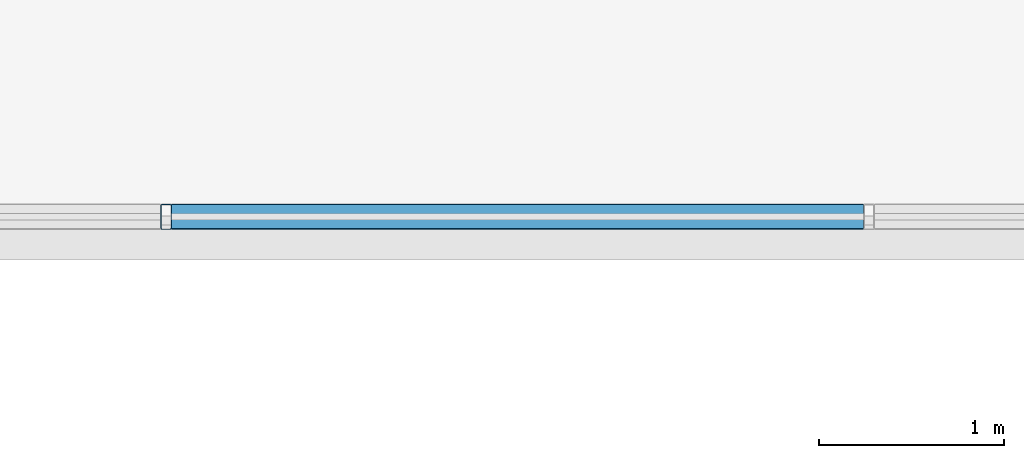
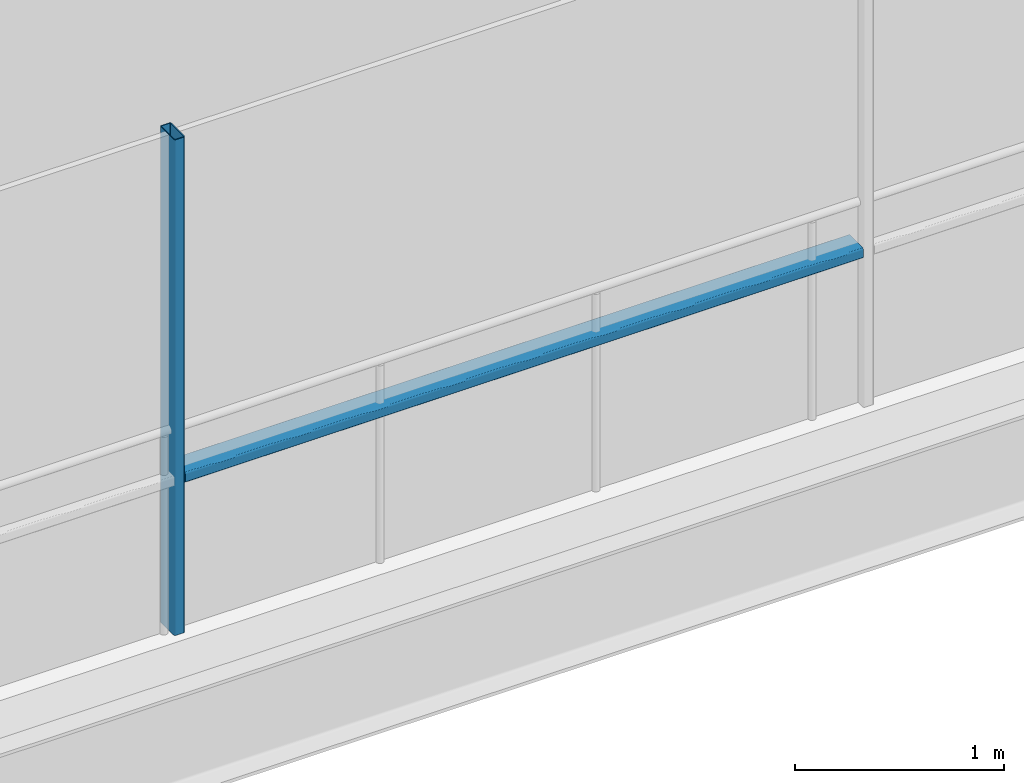
# One storey, part 13 of 41: 2 members, 1 element without a shape of its own.
"""IFC4 building model written with IfcOpenShell, lengths in metres."""

from ifc_helpers import new_model, si_unit, direction, frame, origin, origin_2d, place, context, subcontext, project, spatial, hollow_rectangle, extrude, material, layer, layer_set, material_profile, profile_set, type_object, element, aggregate, save


model = new_model("IFC4")

# Units and contexts
model_context = context("Model", 3, precision=1e-05, world=origin(), true_north=direction((0.0, 1.0)))
body_context = subcontext(model_context, "Body", "Model", "MODEL_VIEW")
ifc_project = project(units=[si_unit("LENGTHUNIT", "METRE"), si_unit("AREAUNIT", "SQUARE_METRE"), si_unit("VOLUMEUNIT", "CUBIC_METRE"), si_unit("PLANEANGLEUNIT", "RADIAN"), si_unit("MASSUNIT", "GRAM", prefix="KILO")], contexts=[model_context])

# Site, building, storey
site_placement = place(None, origin())
site = spatial("IfcSite", under=ifc_project, at=site_placement, CompositionType="ELEMENT")
building_placement = place(site_placement, origin())
building = spatial("IfcBuilding", under=site, at=building_placement, Name="Brevholm Reach", CompositionType="ELEMENT")
storey_placement = place(building_placement, frame((0.0, 0.0, 169.699951171875)))
storey = spatial("IfcBuildingStorey", under=building, at=storey_placement, Name="L51", CompositionType="ELEMENT", Elevation=169.699951171875)

# Curtain wall, members
ifc_material_1 = material(Name="Dark Anodised Aluminium 6063-T6 and Solar-Control Glass", Category="aluminium")
ifc_layer = layer(ifc_material_1, 0.139892578125)
ifc_layer_set = layer_set([ifc_layer], Name="Dark Anodised Aluminium 6063-T6 and Solar-Control Glass")
curtain_wall_type = type_object("IfcCurtainWallType", Name="CW-02", PredefinedType="NOTDEFINED", material=ifc_layer_set)
curtain_wall_placement = place(storey_placement, origin())
curtain_wall = element("IfcCurtainWall", 1, at=curtain_wall_placement, inside=storey, type_object=curtain_wall_type, Name="L51 Curtain Wall CW-02", PredefinedType="NOTDEFINED")
ifc_material_2 = material(Name="Dark Anodised Aluminium 6063-T6", Category="aluminium")
ifc_material_profile_1 = material_profile(ifc_material_2, hollow_rectangle(XDim=0.06005859375, YDim=0.139892578125, WallThickness=0.0048828125, InnerFilletRadius=0.0048828125, OuterFilletRadius=0.010009765625, at=origin_2d()), Name="RHS 140x60x5")
ifc_profile_set_1 = profile_set([ifc_material_profile_1], Name="Dark Anodised Aluminium 6063-T6")
member_type_1 = type_object("IfcMemberType", Name="CWM-140", PredefinedType="MULLION", material=ifc_profile_set_1)
member_1_placement = place(storey_placement, frame((30.050048828125, 26.6201171875, 0.0), z_axis=(0.0, 0.0, 1.0), x_axis=(-1.0, 0.0, 0.0)))
member_1 = element("IfcMember", 2, at=member_1_placement, type_object=member_type_1, Name="CM-140 Mullion 3", PredefinedType="MULLION", context=body_context, shape_type="SweptSolid", body=[
    extrude(hollow_rectangle(XDim=0.06005859375, YDim=0.139892578125, WallThickness=0.0048828125, InnerFilletRadius=0.0048828125, OuterFilletRadius=0.010009765625, at=origin_2d()), origin(), (0.0, 0.0, 1.0), 2.89013671875),
])
ifc_material_3 = material(Name="Dark Anodised Aluminium 6063-T6", Category="aluminium")
ifc_material_profile_2 = material_profile(ifc_material_3, hollow_rectangle(XDim=0.06005859375, YDim=0.139892578125, WallThickness=0.0048828125, InnerFilletRadius=0.0048828125, OuterFilletRadius=0.010009765625, at=origin_2d()), Name="RHS 140x60x5")
ifc_profile_set_2 = profile_set([ifc_material_profile_2], Name="Dark Anodised Aluminium 6063-T6")
member_type_2 = type_object("IfcMemberType", Name="CWT-140", PredefinedType="NOTDEFINED", material=ifc_profile_set_2)
member_2_placement = place(storey_placement, frame((33.820068359375, 26.6201171875, 0.900146484375), z_axis=(-1.0, 0.0, 0.0), x_axis=(0.0, 0.0, 1.0)))
member_2 = element("IfcMember", 3, at=member_2_placement, type_object=member_type_2, Name="CT-140 Transom 2.1", ObjectType="TRANSOM", PredefinedType="USERDEFINED", context=body_context, shape_type="SweptSolid", body=[
    extrude(hollow_rectangle(XDim=0.06005859375, YDim=0.139892578125, WallThickness=0.0048828125, InnerFilletRadius=0.0048828125, OuterFilletRadius=0.010009765625, at=origin_2d()), origin(), (0.0, 0.0, 1.0), 3.739990234375),
])
aggregate(curtain_wall, [member_1, member_2])

save(model, "model.ifc")
